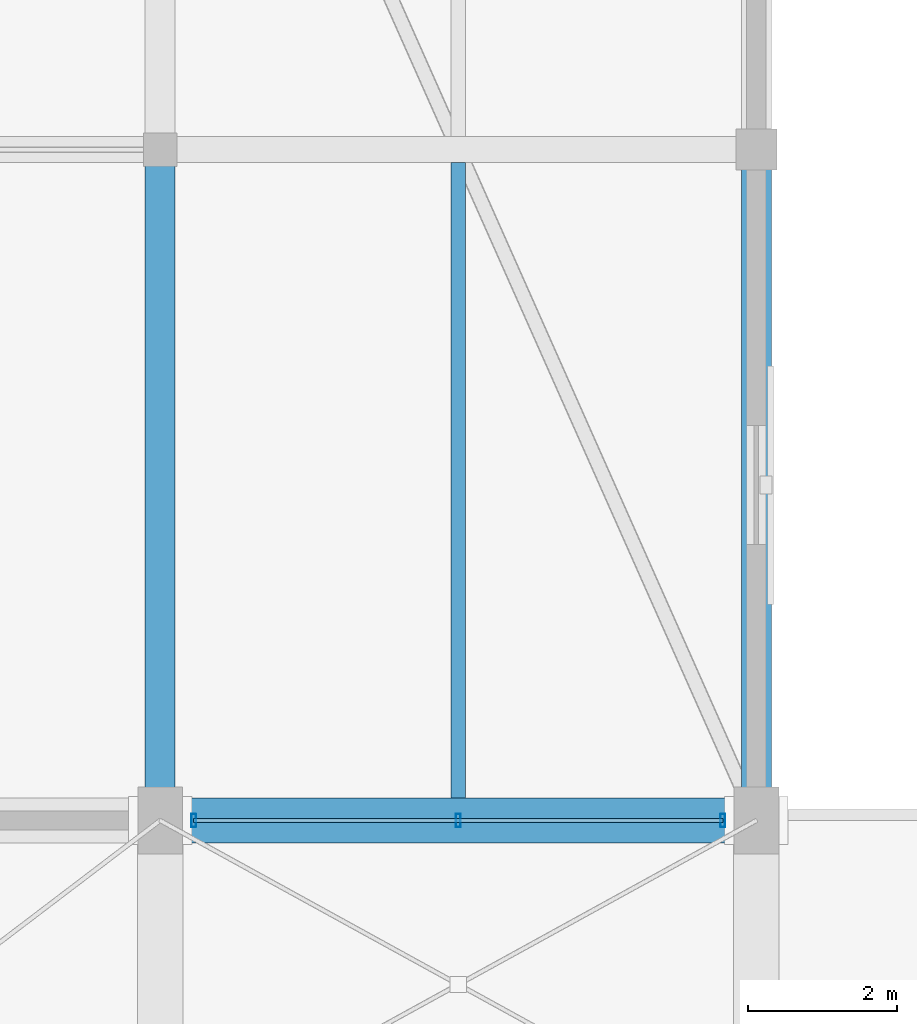
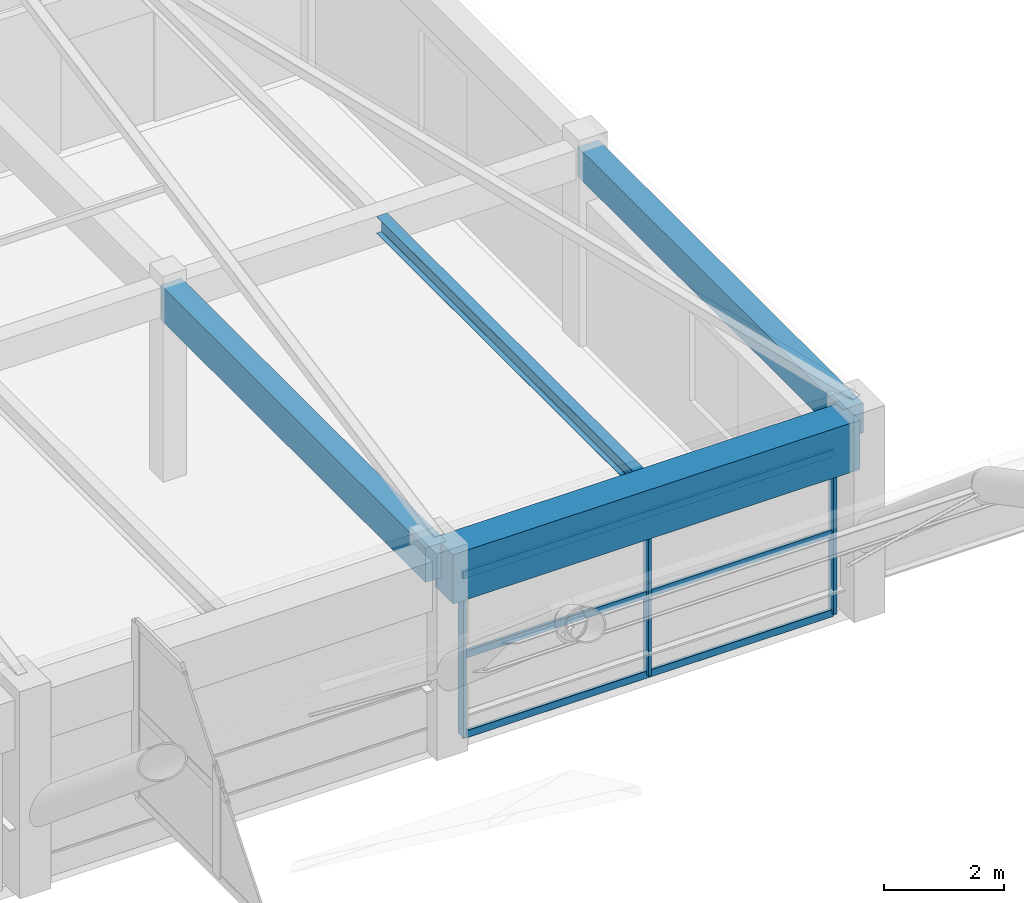
# One storey, part 70 of 126: 6 members, 4 beams, 1 element without a shape of its own.
"""IFC4 building model written with IfcOpenShell, lengths in metres."""

from ifc_helpers import new_model, si_unit, direction, frame, origin, origin_2d, place, context, subcontext, project, spatial, rectangle, hollow_rectangle, i_section, extrude, material, material_profile, profile_set, type_object, element, aggregate, save


model = new_model("IFC4")

# Units and contexts
model_context = context("Model", 3, precision=1e-05, world=origin(), true_north=direction((0.0, 1.0)))
body_context = subcontext(model_context, "Body", "Model", "MODEL_VIEW")
ifc_project = project(units=[si_unit("LENGTHUNIT", "METRE"), si_unit("AREAUNIT", "SQUARE_METRE"), si_unit("VOLUMEUNIT", "CUBIC_METRE"), si_unit("PLANEANGLEUNIT", "RADIAN"), si_unit("MASSUNIT", "GRAM", prefix="KILO")], contexts=[model_context])

# Site, building, storey
site_placement = place(None, origin())
site = spatial("IfcSite", under=ifc_project, at=site_placement, CompositionType="ELEMENT")
building_placement = place(site_placement, origin())
building = spatial("IfcBuilding", under=site, at=building_placement, Name="Varnabhumi Central Station", CompositionType="ELEMENT")
storey_placement = place(building_placement, frame((0.0, 0.0, 16.199951171875)))
storey = spatial("IfcBuildingStorey", under=building, at=storey_placement, Name="L03", CompositionType="ELEMENT", Elevation=16.199951171875)

# Beams
ifc_material_1 = material(Name="Concrete M40", Category="concrete")
ifc_material_profile_1 = material_profile(ifc_material_1, rectangle(XDim=0.39990234375, YDim=0.60009765625, at=origin_2d()), Name="Concrete M40", Category="concrete")
ifc_profile_set_1 = profile_set([ifc_material_profile_1], Name="Concrete M40")
beam_type_1 = type_object("IfcBeamType", Name="BM-RC-400x600", PredefinedType="BEAM", material=ifc_profile_set_1)
beam_1_placement = place(storey_placement, frame((144.0, 80.10009765625, 3.650146484375), z_axis=(0.0, 1.0, 0.0), x_axis=(-1.0, 0.0, 0.0)))
element("IfcBeam", 1, at=beam_1_placement, inside=storey, type_object=beam_type_1, Name="Beam L03-19:K-L", PredefinedType="BEAM", context=body_context, shape_type="SweptSolid", body=[
    extrude(rectangle(XDim=0.39990234375, YDim=0.60009765625, at=origin_2d()), origin(), (0.0, 0.0, 1.0), 8.7998046875),
])
ifc_material_2 = material(Name="Concrete M50", Category="concrete")
ifc_material_profile_2 = material_profile(ifc_material_2, rectangle(XDim=0.60009765625, YDim=1.0, at=origin_2d()), Name="Concrete M50", Category="concrete")
ifc_profile_set_2 = profile_set([ifc_material_profile_2], Name="Concrete M50")
beam_type_2 = type_object("IfcBeamType", Name="BM-RC-600x1000", PredefinedType="BEAM", material=ifc_profile_set_2)
beam_2_placement = place(storey_placement, frame((136.10009765625, 80.0, 3.449951171875), z_axis=(1.0, 0.0, 0.0), x_axis=(0.0, 1.0, 0.0)))
element("IfcBeam", 2, at=beam_2_placement, inside=storey, type_object=beam_type_2, Name="Beam L03-K:18-19", PredefinedType="BEAM", context=body_context, shape_type="SweptSolid", body=[
    extrude(rectangle(XDim=0.60009765625, YDim=1.0, at=origin_2d()), origin(), (0.0, 0.0, 1.0), 7.7998046875),
])
ifc_material_profile_3 = material_profile(ifc_material_1, rectangle(XDim=0.39990234375, YDim=0.699951171875, at=origin_2d()), Name="Concrete M40", Category="concrete")
ifc_profile_set_3 = profile_set([ifc_material_profile_3], Name="Concrete M40")
beam_type_3 = type_object("IfcBeamType", Name="BM-RC-700x400", PredefinedType="BEAM", material=ifc_profile_set_3)
beam_3_placement = place(storey_placement, frame((136.0, 80.10009765625, 3.60009765625), z_axis=(0.0, 1.0, 0.0), x_axis=(-1.0, 0.0, 0.0)))
element("IfcBeam", 3, at=beam_3_placement, inside=storey, type_object=beam_type_3, Name="Beam L03-18:K-L", PredefinedType="BEAM", context=body_context, shape_type="SweptSolid", body=[
    extrude(rectangle(XDim=0.39990234375, YDim=0.699951171875, at=origin_2d()), origin(), (0.0, 0.0, 1.0), 8.7998046875),
])
ifc_material_3 = material(Name="Structural steel E350", Category="steel")
ifc_material_profile_4 = material_profile(ifc_material_3, i_section(OverallWidth=0.199951171875, OverallDepth=0.35009765625, WebThickness=0.008056640625, FlangeThickness=0.011474609375, FilletRadius=0.011962890625, at=origin_2d()), Name="Structural steel E350", Category="steel")
ifc_profile_set_4 = profile_set([ifc_material_profile_4], Name="Structural steel E350")
beam_type_4 = type_object("IfcBeamType", Name="BM-STL-ISWB350", PredefinedType="JOIST", material=ifc_profile_set_4)
beam_4_placement = place(storey_placement, frame((140.0, 80.300048828125, 3.775146484375), z_axis=(0.0, 1.0, 0.0), x_axis=(-1.0, 0.0, 0.0)))
element("IfcBeam", 4, at=beam_4_placement, inside=storey, type_object=beam_type_4, Name="Secondary Joist L03-18/19:K-L", PredefinedType="JOIST", context=body_context, shape_type="SweptSolid", body=[
    extrude(i_section(OverallWidth=0.199951171875, OverallDepth=0.35009765625, WebThickness=0.008056640625, FlangeThickness=0.011474609375, FilletRadius=0.011962890625, at=origin_2d()), origin(), (0.0, 0.0, 1.0), 8.52490234375),
])

# Curtain wall, members
ifc_material_4 = material(Name="Anodised aluminium 6063-T6", Category="aluminium")
curtain_wall_type = type_object("IfcCurtainWallType", Name="CW-SPINE-SCREEN-L0", PredefinedType="NOTDEFINED", material=ifc_material_4)
curtain_wall_placement = place(storey_placement, origin())
curtain_wall = element("IfcCurtainWall", 5, at=curtain_wall_placement, inside=storey, type_object=curtain_wall_type, Name="Curtain Wall CW-NS314", PredefinedType="NOTDEFINED")
ifc_material_profile_5 = material_profile(ifc_material_4, hollow_rectangle(XDim=0.06494140625, YDim=0.179931640625, WallThickness=0.00390625, InnerFilletRadius=0.001953125, OuterFilletRadius=0.006103515625, at=origin_2d()), Name="Anodised aluminium 6063-T6", Category="aluminium")
ifc_profile_set_5 = profile_set([ifc_material_profile_5], Name="Anodised aluminium 6063-T6")
member_type_1 = type_object("IfcMemberType", Name="CW-MUL-180", PredefinedType="MULLION", material=ifc_profile_set_5)
member_1_placement = place(storey_placement, frame((136.449951171875, 80.0, 0.0), z_axis=(0.0, 0.0, 1.0), x_axis=(1.0, 0.0, 0.0)))
member_1 = element("IfcMember", 6, at=member_1_placement, type_object=member_type_1, Name="Curtain Wall Mullion CW-NS314-M1", PredefinedType="MULLION", context=body_context, shape_type="SweptSolid", body=[
    extrude(hollow_rectangle(XDim=0.06494140625, YDim=0.179931640625, WallThickness=0.00390625, InnerFilletRadius=0.001953125, OuterFilletRadius=0.006103515625, at=origin_2d()), origin(), (0.0, 0.0, 1.0), 3.239990234375),
])
member_2_placement = place(storey_placement, frame((140.0, 80.0, 0.0), z_axis=(0.0, 0.0, 1.0), x_axis=(1.0, 0.0, 0.0)))
member_2 = element("IfcMember", 7, at=member_2_placement, type_object=member_type_1, Name="Curtain Wall Mullion CW-NS314-M2", PredefinedType="MULLION", context=body_context, shape_type="SweptSolid", body=[
    extrude(hollow_rectangle(XDim=0.06494140625, YDim=0.179931640625, WallThickness=0.00390625, InnerFilletRadius=0.001953125, OuterFilletRadius=0.006103515625, at=origin_2d()), origin(), (0.0, 0.0, 1.0), 3.239990234375),
])
member_3_placement = place(storey_placement, frame((143.550048828125, 80.0, 0.0), z_axis=(0.0, 0.0, 1.0), x_axis=(1.0, 0.0, 0.0)))
member_3 = element("IfcMember", 8, at=member_3_placement, type_object=member_type_1, Name="Curtain Wall Mullion CW-NS314-M3", PredefinedType="MULLION", context=body_context, shape_type="SweptSolid", body=[
    extrude(hollow_rectangle(XDim=0.06494140625, YDim=0.179931640625, WallThickness=0.00390625, InnerFilletRadius=0.001953125, OuterFilletRadius=0.006103515625, at=origin_2d()), origin(), (0.0, 0.0, 1.0), 3.239990234375),
])
ifc_material_profile_6 = material_profile(ifc_material_4, hollow_rectangle(XDim=0.06005859375, YDim=0.14990234375, WallThickness=0.00390625, InnerFilletRadius=0.001953125, OuterFilletRadius=0.006103515625, at=origin_2d()), Name="Anodised aluminium 6063-T6", Category="aluminium")
ifc_profile_set_6 = profile_set([ifc_material_profile_6], Name="Anodised aluminium 6063-T6")
member_type_2 = type_object("IfcMemberType", Name="CW-TR-150", PredefinedType="USERDEFINED", material=ifc_profile_set_6)
member_4_placement = place(storey_placement, frame((136.449951171875, 80.0, 0.0), z_axis=(1.0, 0.0, 0.0), x_axis=(0.0, 1.0, 0.0)))
member_4 = element("IfcMember", 9, at=member_4_placement, type_object=member_type_2, Name="Curtain Wall Transom CW-NS314-T1", ObjectType="TRANSOM", PredefinedType="USERDEFINED", context=body_context, shape_type="SweptSolid", body=[
    extrude(hollow_rectangle(XDim=0.06005859375, YDim=0.14990234375, WallThickness=0.00390625, InnerFilletRadius=0.001953125, OuterFilletRadius=0.006103515625, at=origin_2d()), origin(), (0.0, 0.0, 1.0), 7.10009765625),
])
member_5_placement = place(storey_placement, frame((136.449951171875, 80.0, 1.6201171875), z_axis=(1.0, 0.0, 0.0), x_axis=(0.0, 1.0, 0.0)))
member_5 = element("IfcMember", 10, at=member_5_placement, type_object=member_type_2, Name="Curtain Wall Transom CW-NS314-T2", ObjectType="TRANSOM", PredefinedType="USERDEFINED", context=body_context, shape_type="SweptSolid", body=[
    extrude(hollow_rectangle(XDim=0.06005859375, YDim=0.14990234375, WallThickness=0.00390625, InnerFilletRadius=0.001953125, OuterFilletRadius=0.006103515625, at=origin_2d()), origin(), (0.0, 0.0, 1.0), 7.10009765625),
])
member_6_placement = place(storey_placement, frame((136.449951171875, 80.0, 3.239990234375), z_axis=(1.0, 0.0, 0.0), x_axis=(0.0, 1.0, 0.0)))
member_6 = element("IfcMember", 11, at=member_6_placement, type_object=member_type_2, Name="Curtain Wall Transom CW-NS314-T3", ObjectType="TRANSOM", PredefinedType="USERDEFINED", context=body_context, shape_type="SweptSolid", body=[
    extrude(hollow_rectangle(XDim=0.06005859375, YDim=0.14990234375, WallThickness=0.00390625, InnerFilletRadius=0.001953125, OuterFilletRadius=0.006103515625, at=origin_2d()), origin(), (0.0, 0.0, 1.0), 7.10009765625),
])
aggregate(curtain_wall, [member_1, member_2, member_3, member_4, member_5, member_6])

save(model, "model.ifc")
